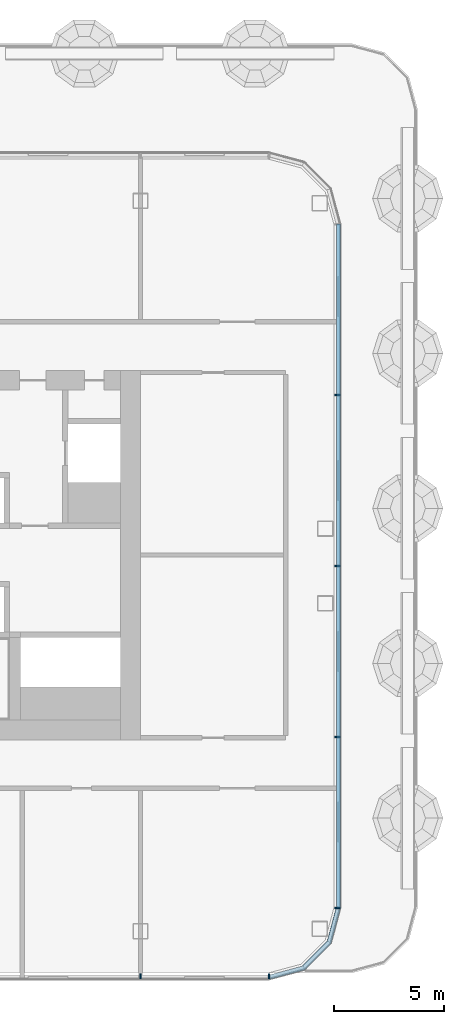
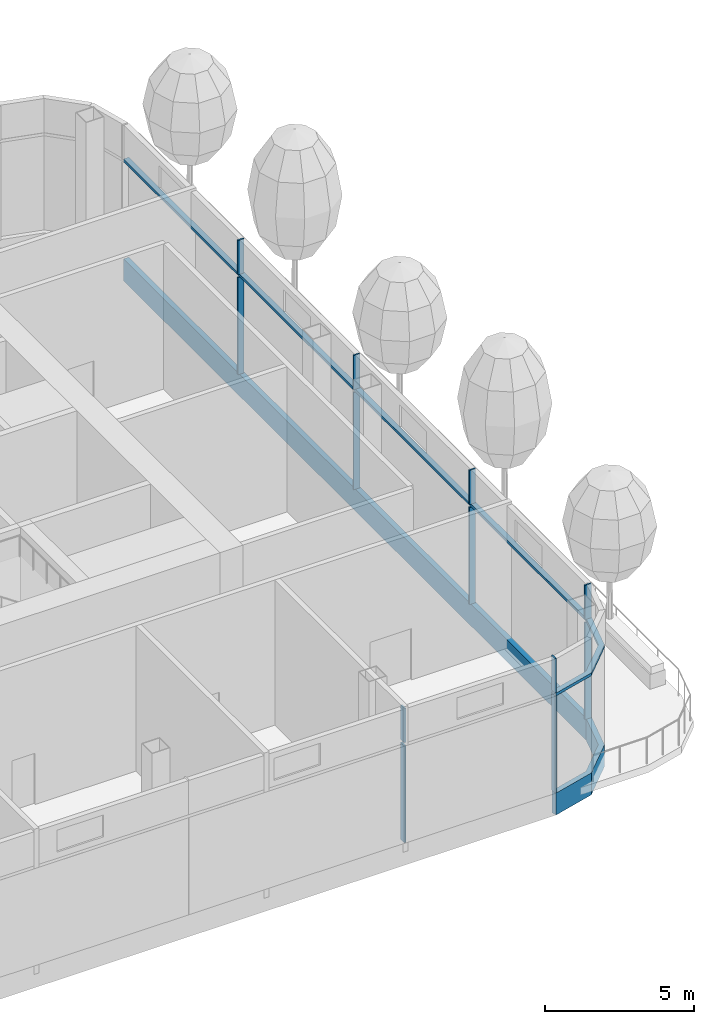
# One storey, part 8 of 43: 16 members, 3 elements without a shape of their own.
"""IFC4 building model written with IfcOpenShell, lengths in metres."""

from ifc_helpers import new_model, si_unit, direction, frame, origin, origin_2d, place, context, subcontext, project, spatial, polyline, rectangle, outline, extrude, material, layer, layer_set, material_profile, profile_set, type_object, element, aggregate, save


model = new_model("IFC4")

# Units and contexts
model_context = context("Model", 3, precision=1e-05, world=origin(), true_north=direction((0.0, 1.0)))
body_context = subcontext(model_context, "Body", "Model", "MODEL_VIEW")
ifc_project = project(units=[si_unit("LENGTHUNIT", "METRE"), si_unit("AREAUNIT", "SQUARE_METRE"), si_unit("VOLUMEUNIT", "CUBIC_METRE"), si_unit("PLANEANGLEUNIT", "RADIAN"), si_unit("MASSUNIT", "GRAM", prefix="KILO")], contexts=[model_context])

# Site, building, storey
site_placement = place(None, origin())
site = spatial("IfcSite", under=ifc_project, at=site_placement, CompositionType="ELEMENT")
building_placement = place(site_placement, origin())
building = spatial("IfcBuilding", under=site, at=building_placement, Name="Hakoniwa Tower and Hamabe Station Hall", CompositionType="ELEMENT")
storey_placement = place(building_placement, frame((0.0, 0.0, 124.60009765625)))
storey = spatial("IfcBuildingStorey", under=building, at=storey_placement, Name="L35", CompositionType="ELEMENT", Elevation=124.60009765625)

# Curtain wall, member
ifc_material_1 = material(Name="Dark low-e laminated glass", Category="glass")
ifc_layer = layer(ifc_material_1, 0.199951171875)
ifc_layer_set = layer_set([ifc_layer], Name="CW-2 SKY GARDEN")
curtain_wall_type = type_object("IfcCurtainWallType", Name="CW-2 SKY GARDEN", PredefinedType="NOTDEFINED", material=ifc_layer_set)
curtain_wall_1_placement = place(storey_placement, origin())
curtain_wall_1 = element("IfcCurtainWall", 1, at=curtain_wall_1_placement, inside=storey, type_object=curtain_wall_type, Name="CW-2 curtain wall", PredefinedType="NOTDEFINED")
ifc_material_2 = material(Name="Aluminium 6063-T5 black anodised", Category="aluminium")
ifc_material_profile_1 = material_profile(ifc_material_2, rectangle(XDim=0.199951171875, YDim=0.1201171875, at=origin_2d()), Name="CW MID TRANSOM 120X200")
ifc_profile_set_1 = profile_set([ifc_material_profile_1], Name="Aluminium 6063-T5 black anodised")
member_type_1 = type_object("IfcMemberType", Name="CW MID TRANSOM 120X200", PredefinedType="USERDEFINED", material=ifc_profile_set_1)
member_1_placement = place(storey_placement, frame((42.60009765625, -16.03955078125, 4.389892578125), z_axis=(0.0, 1.0, 0.0), x_axis=(-1.0, 0.0, 0.0)))
member_1 = element("IfcMember", 2, at=member_1_placement, type_object=member_type_1, Name="CW-2 transom", ObjectType="TRANSOM", PredefinedType="USERDEFINED", context=body_context, shape_type="SweptSolid", body=[
    extrude(rectangle(XDim=0.199951171875, YDim=0.1201171875, at=origin_2d()), origin(), (0.0, 0.0, 1.0), 31.0791015625),
])

curtain_wall_2_placement = place(storey_placement, origin())
curtain_wall_2 = element("IfcCurtainWall", 3, at=curtain_wall_2_placement, inside=storey, type_object=curtain_wall_type, Name="CW-2 curtain wall", PredefinedType="NOTDEFINED")
member_2_placement = place(storey_placement, frame((0.0, 0.0, 4.329833984375)))
member_2 = element("IfcMember", 4, at=member_2_placement, type_object=member_type_1, Name="CW-2 transom", ObjectType="TRANSOM", PredefinedType="USERDEFINED", context=body_context, shape_type="SweptSolid", body=[
    extrude(outline(polyline([(39.439453125, -19.300048828125), (41.05517578125, -18.866943359375), (42.26708984375, -17.6552734375), (42.699951171875, -16.03955078125), (42.5068359375, -15.98779296875), (42.087646484375, -17.5517578125), (40.95166015625, -18.687744140625), (39.3876953125, -19.10693359375), (39.439453125, -19.300048828125)])), origin(), (0.0, 0.0, 1.0), 0.1201171875),
])

# Member
ifc_material_3 = material(Name="Aluminium 6063-T5 black anodised", Category="aluminium")
ifc_material_profile_2 = material_profile(ifc_material_3, rectangle(XDim=0.199951171875, YDim=0.89990234375, at=origin_2d()), Name="CW SLAB-EDGE BAND 900X200")
ifc_profile_set_2 = profile_set([ifc_material_profile_2], Name="Aluminium 6063-T5 black anodised")
member_type_2 = type_object("IfcMemberType", Name="CW SLAB-EDGE BAND 900X200", PredefinedType="USERDEFINED", material=ifc_profile_set_2)
member_3_placement = place(storey_placement, frame((42.60009765625, -16.03955078125, -0.10009765625), z_axis=(0.0, 1.0, 0.0), x_axis=(-1.0, 0.0, 0.0)))
member_3 = element("IfcMember", 5, at=member_3_placement, type_object=member_type_2, Name="CW-2 transom", ObjectType="TRANSOM", PredefinedType="USERDEFINED", context=body_context, shape_type="SweptSolid", body=[
    extrude(rectangle(XDim=0.199951171875, YDim=0.89990234375, at=origin_2d()), origin(), (0.0, 0.0, 1.0), 31.0791015625),
])

member_4_placement = place(storey_placement, frame((0.0, 0.0, -0.550048828125)))
member_4 = element("IfcMember", 6, at=member_4_placement, type_object=member_type_2, Name="CW-2 transom", ObjectType="TRANSOM", PredefinedType="USERDEFINED", context=body_context, shape_type="SweptSolid", body=[
    extrude(outline(polyline([(39.439453125, -19.300048828125), (41.05517578125, -18.866943359375), (42.26708984375, -17.6552734375), (42.699951171875, -16.03955078125), (42.5068359375, -15.98779296875), (42.087646484375, -17.5517578125), (40.95166015625, -18.687744140625), (39.3876953125, -19.10693359375), (39.439453125, -19.300048828125)])), origin(), (0.0, 0.0, 1.0), 0.89990234375),
])

aggregate(curtain_wall_2, [member_4, member_2])

ifc_material_4 = material(Name="Aluminium 6063-T5 black anodised", Category="aluminium")
ifc_material_profile_3 = material_profile(ifc_material_4, rectangle(XDim=0.06005859375, YDim=0.239990234375, at=origin_2d()), Name="CW-2 MULLION 60X240")
ifc_profile_set_3 = profile_set([ifc_material_profile_3], Name="Aluminium 6063-T5 black anodised")
member_type_3 = type_object("IfcMemberType", Name="CW-2 MULLION 60X240", PredefinedType="MULLION", material=ifc_profile_set_3)
member_5_placement = place(storey_placement, frame((42.552001953125, -16.03955078125, 0.349853515625), z_axis=(0.0, 0.0, 1.0), x_axis=(0.0, 1.0, 0.0)))
member_5 = element("IfcMember", 7, at=member_5_placement, type_object=member_type_3, Name="CW-2 mullion", PredefinedType="MULLION", context=body_context, shape_type="SweptSolid", body=[
    extrude(rectangle(XDim=0.06005859375, YDim=0.239990234375, at=origin_2d()), origin(), (0.0, 0.0, 1.0), 3.97998046875),
])

member_6_placement = place(storey_placement, frame((42.552001953125, -16.03955078125, 4.449951171875), z_axis=(0.0, 0.0, 1.0), x_axis=(0.0, 1.0, 0.0)))
member_6 = element("IfcMember", 8, at=member_6_placement, type_object=member_type_3, Name="CW-2 mullion", PredefinedType="MULLION", context=body_context, shape_type="SweptSolid", body=[
    extrude(rectangle(XDim=0.06005859375, YDim=0.239990234375, at=origin_2d()), origin(), (0.0, 0.0, 1.0), 1.39990234375),
])

member_7_placement = place(storey_placement, frame((42.552001953125, -8.269775390625, 0.349853515625), z_axis=(0.0, 0.0, 1.0), x_axis=(0.0, 1.0, 0.0)))
member_7 = element("IfcMember", 9, at=member_7_placement, type_object=member_type_3, Name="CW-2 mullion", PredefinedType="MULLION", context=body_context, shape_type="SweptSolid", body=[
    extrude(rectangle(XDim=0.06005859375, YDim=0.239990234375, at=origin_2d()), origin(), (0.0, 0.0, 1.0), 3.97998046875),
])

member_8_placement = place(storey_placement, frame((42.552001953125, -8.269775390625, 4.449951171875), z_axis=(0.0, 0.0, 1.0), x_axis=(0.0, 1.0, 0.0)))
member_8 = element("IfcMember", 10, at=member_8_placement, type_object=member_type_3, Name="CW-2 mullion", PredefinedType="MULLION", context=body_context, shape_type="SweptSolid", body=[
    extrude(rectangle(XDim=0.06005859375, YDim=0.239990234375, at=origin_2d()), origin(), (0.0, 0.0, 1.0), 1.39990234375),
])

member_9_placement = place(storey_placement, frame((42.552001953125, -0.5, 0.349853515625), z_axis=(0.0, 0.0, 1.0), x_axis=(0.0, 1.0, 0.0)))
member_9 = element("IfcMember", 11, at=member_9_placement, type_object=member_type_3, Name="CW-2 mullion", PredefinedType="MULLION", context=body_context, shape_type="SweptSolid", body=[
    extrude(rectangle(XDim=0.06005859375, YDim=0.239990234375, at=origin_2d()), origin(), (0.0, 0.0, 1.0), 3.97998046875),
])

member_10_placement = place(storey_placement, frame((42.552001953125, -0.5, 4.449951171875), z_axis=(0.0, 0.0, 1.0), x_axis=(0.0, 1.0, 0.0)))
member_10 = element("IfcMember", 12, at=member_10_placement, type_object=member_type_3, Name="CW-2 mullion", PredefinedType="MULLION", context=body_context, shape_type="SweptSolid", body=[
    extrude(rectangle(XDim=0.06005859375, YDim=0.239990234375, at=origin_2d()), origin(), (0.0, 0.0, 1.0), 1.39990234375),
])

member_11_placement = place(storey_placement, frame((42.552001953125, 7.269775390625, 0.349853515625), z_axis=(0.0, 0.0, 1.0), x_axis=(0.0, 1.0, 0.0)))
member_11 = element("IfcMember", 13, at=member_11_placement, type_object=member_type_3, Name="CW-2 mullion", PredefinedType="MULLION", context=body_context, shape_type="SweptSolid", body=[
    extrude(rectangle(XDim=0.06005859375, YDim=0.239990234375, at=origin_2d()), origin(), (0.0, 0.0, 1.0), 3.97998046875),
])

member_12_placement = place(storey_placement, frame((42.552001953125, 7.269775390625, 4.449951171875), z_axis=(0.0, 0.0, 1.0), x_axis=(0.0, 1.0, 0.0)))
member_12 = element("IfcMember", 14, at=member_12_placement, type_object=member_type_3, Name="CW-2 mullion", PredefinedType="MULLION", context=body_context, shape_type="SweptSolid", body=[
    extrude(rectangle(XDim=0.06005859375, YDim=0.239990234375, at=origin_2d()), origin(), (0.0, 0.0, 1.0), 1.39990234375),
])

aggregate(curtain_wall_1, [member_5, member_6, member_7, member_8, member_9, member_10, member_11, member_12, member_3, member_1])

# Curtain wall, members
curtain_wall_3_placement = place(storey_placement, origin())
curtain_wall_3 = element("IfcCurtainWall", 15, at=curtain_wall_3_placement, inside=storey, type_object=curtain_wall_type, Name="CW-2 curtain wall", PredefinedType="NOTDEFINED")
member_13_placement = place(storey_placement, frame((33.60009765625, -19.152099609375, 0.349853515625), z_axis=(0.0, 0.0, 1.0), x_axis=(1.0, 0.0, 0.0)))
member_13 = element("IfcMember", 16, at=member_13_placement, type_object=member_type_3, Name="CW-2 mullion", PredefinedType="MULLION", context=body_context, shape_type="SweptSolid", body=[
    extrude(rectangle(XDim=0.06005859375, YDim=0.239990234375, at=origin_2d()), origin(), (0.0, 0.0, 1.0), 3.97998046875),
])
member_14_placement = place(storey_placement, frame((33.60009765625, -19.152099609375, 4.449951171875), z_axis=(0.0, 0.0, 1.0), x_axis=(1.0, 0.0, 0.0)))
member_14 = element("IfcMember", 17, at=member_14_placement, type_object=member_type_3, Name="CW-2 mullion", PredefinedType="MULLION", context=body_context, shape_type="SweptSolid", body=[
    extrude(rectangle(XDim=0.06005859375, YDim=0.239990234375, at=origin_2d()), origin(), (0.0, 0.0, 1.0), 1.39990234375),
])
member_15_placement = place(storey_placement, frame((39.439453125, -19.152099609375, 0.349853515625), z_axis=(0.0, 0.0, 1.0), x_axis=(1.0, 0.0, 0.0)))
member_15 = element("IfcMember", 18, at=member_15_placement, type_object=member_type_3, Name="CW-2 mullion", PredefinedType="MULLION", context=body_context, shape_type="SweptSolid", body=[
    extrude(rectangle(XDim=0.06005859375, YDim=0.239990234375, at=origin_2d()), origin(), (0.0, 0.0, 1.0), 3.97998046875),
])
member_16_placement = place(storey_placement, frame((39.439453125, -19.152099609375, 4.449951171875), z_axis=(0.0, 0.0, 1.0), x_axis=(1.0, 0.0, 0.0)))
member_16 = element("IfcMember", 19, at=member_16_placement, type_object=member_type_3, Name="CW-2 mullion", PredefinedType="MULLION", context=body_context, shape_type="SweptSolid", body=[
    extrude(rectangle(XDim=0.06005859375, YDim=0.239990234375, at=origin_2d()), origin(), (0.0, 0.0, 1.0), 1.39990234375),
])
aggregate(curtain_wall_3, [member_13, member_14, member_15, member_16])

save(model, "model.ifc")
